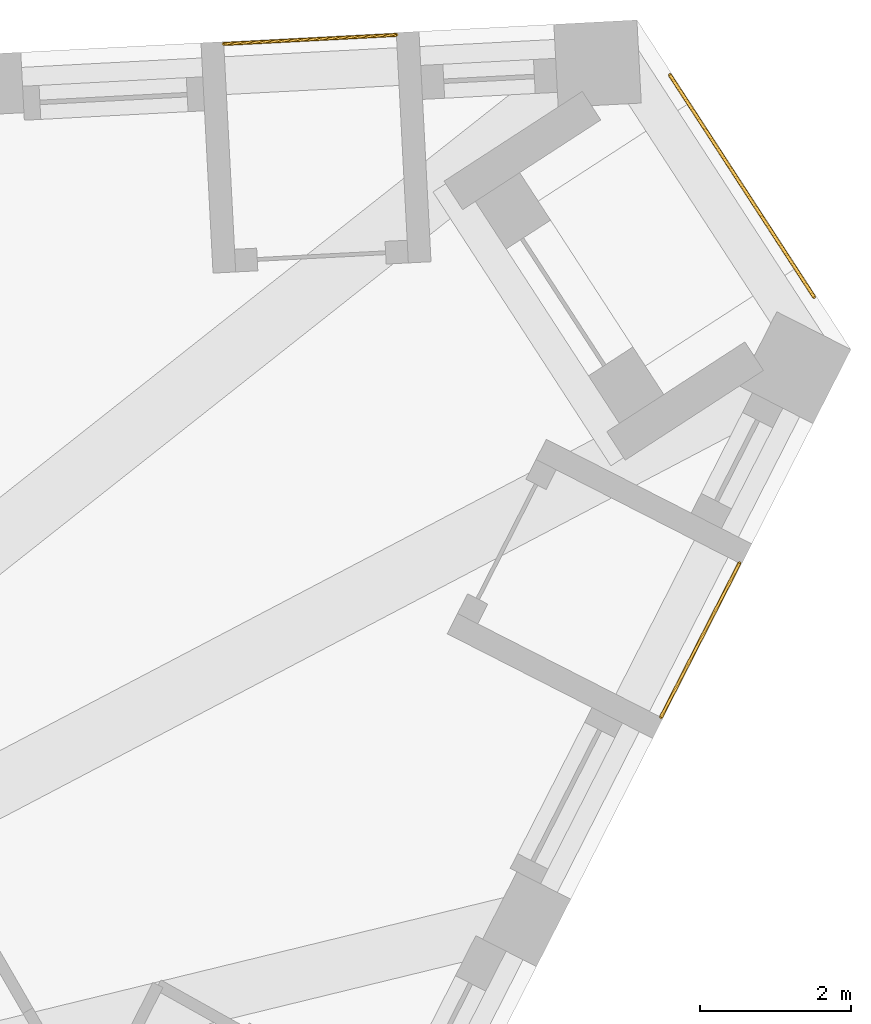
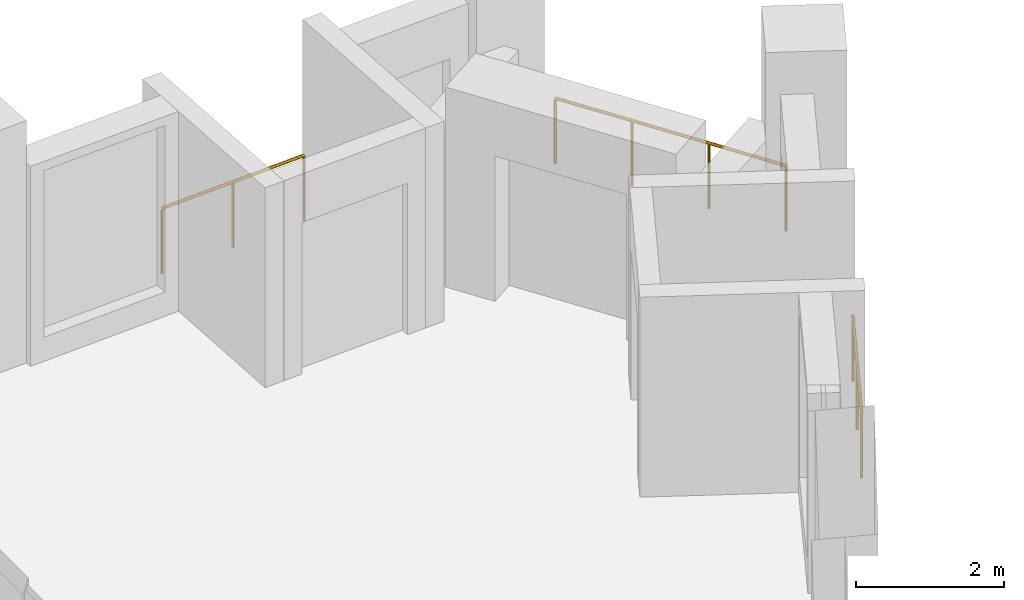
# One storey, part 12 of 12: 3 railings.
"""IFC4 building model written with IfcOpenShell, lengths in metres."""

from ifc_helpers import new_model, si_unit, direction, frame, origin, origin_2d, place, context, subcontext, project, spatial, circle, extrude, material, type_object, element, save


model = new_model("IFC4")

# Units and contexts
model_context = context("Model", 3, precision=1e-05, world=origin(), true_north=direction((0.0, 1.0)))
body_context = subcontext(model_context, "Body", "Model", "MODEL_VIEW")
ifc_project = project(units=[si_unit("LENGTHUNIT", "METRE"), si_unit("AREAUNIT", "SQUARE_METRE"), si_unit("VOLUMEUNIT", "CUBIC_METRE"), si_unit("PLANEANGLEUNIT", "RADIAN"), si_unit("MASSUNIT", "GRAM", prefix="KILO")], contexts=[model_context])

# Site, building, storey
site_placement = place(None, origin())
site = spatial("IfcSite", under=ifc_project, at=site_placement, CompositionType="ELEMENT")
building_placement = place(site_placement, origin())
building = spatial("IfcBuilding", under=site, at=building_placement, Name="Tramontana Tower", CompositionType="ELEMENT")
storey_placement = place(building_placement, frame((0.0, 0.0, 302.39990234375)))
storey = spatial("IfcBuildingStorey", under=building, at=storey_placement, Name="L71", CompositionType="ELEMENT", Elevation=302.39990234375)

# Railings
ifc_material = material(Name="Laminated glass balustrade", Category="glass")
railing_type = type_object("IfcRailingType", Name="GD1 Loggia glass balustrade 1100", PredefinedType="BALUSTRADE", material=ifc_material)
railing_1_placement = place(storey_placement, frame((21.128173828125, 7.390625, 0.0)))
element("IfcRailing", 1, at=railing_1_placement, inside=storey, type_object=railing_type, Name="Loggia balustrade L71 G7S1.13", PredefinedType="BALUSTRADE", context=body_context, shape_type="SweptSolid", body=[
    extrude(circle(Radius=0.02392578125, at=origin_2d()), frame((0.0, 0.0, 1.076171875), z_axis=(0.453948171533, 0.89102809022, 0.0), x_axis=(-0.89102809022, 0.453948171533, 0.0)), (0.0, 0.0, 1.0), 2.286865234375),
    extrude(circle(Radius=0.02099609375, at=origin_2d()), origin(), (0.0, 0.0, 1.0), 1.052001953125),
    extrude(circle(Radius=0.02099609375, at=origin_2d()), frame((0.51904296875, 1.018798828125, 0.0)), (0.0, 0.0, 1.0), 1.052001953125),
    extrude(circle(Radius=0.02099609375, at=origin_2d()), frame((1.0380859375, 2.03759765625, 0.0)), (0.0, 0.0, 1.0), 1.052001953125),
])
railing_2_placement = place(storey_placement, frame((17.62890625, 16.4150390625, 0.0)))
element("IfcRailing", 2, at=railing_2_placement, inside=storey, type_object=railing_type, Name="Loggia balustrade L71 G7S2.1", PredefinedType="BALUSTRADE", context=body_context, shape_type="SweptSolid", body=[
    extrude(circle(Radius=0.02392578125, at=origin_2d()), frame((0.0, 0.0, 1.076171875), z_axis=(-0.998630775221, -0.052312281362, 0.0), x_axis=(0.052312281362, -0.998630775221, 0.0)), (0.0, 0.0, 1.0), 2.286865234375),
    extrude(circle(Radius=0.02099609375, at=origin_2d()), origin(), (0.0, 0.0, 1.0), 1.052001953125),
    extrude(circle(Radius=0.02099609375, at=origin_2d()), frame((-1.141845703125, -0.059814453125, 0.0)), (0.0, 0.0, 1.0), 1.052001953125),
    extrude(circle(Radius=0.02099609375, at=origin_2d()), frame((-2.28369140625, -0.11962890625, 0.0)), (0.0, 0.0, 1.0), 1.052001953125),
])
railing_3_placement = place(storey_placement, frame((21.24658203125, 15.88427734375, 0.0)))
element("IfcRailing", 3, at=railing_3_placement, inside=storey, type_object=railing_type, Name="Corner loggia balustrade L71 K72", PredefinedType="BALUSTRADE", context=body_context, shape_type="SweptSolid", body=[
    extrude(circle(Radius=0.02392578125, at=origin_2d()), frame((0.0, 0.0, 1.076171875), z_axis=(0.544647498784, -0.838665071449, 0.0), x_axis=(0.838665071449, 0.544647498784, 0.0)), (0.0, 0.0, 1.0), 3.5),
    extrude(circle(Radius=0.02099609375, at=origin_2d()), origin(), (0.0, 0.0, 1.0), 1.052001953125),
    extrude(circle(Radius=0.02099609375, at=origin_2d()), frame((0.635498046875, -0.978515625, 0.0)), (0.0, 0.0, 1.0), 1.052001953125),
    extrude(circle(Radius=0.02099609375, at=origin_2d()), frame((1.270751953125, -1.956787109375, 0.0)), (0.0, 0.0, 1.0), 1.052001953125),
    extrude(circle(Radius=0.02099609375, at=origin_2d()), frame((1.90625, -2.935302734375, 0.0)), (0.0, 0.0, 1.0), 1.052001953125),
])

save(model, "model.ifc")
